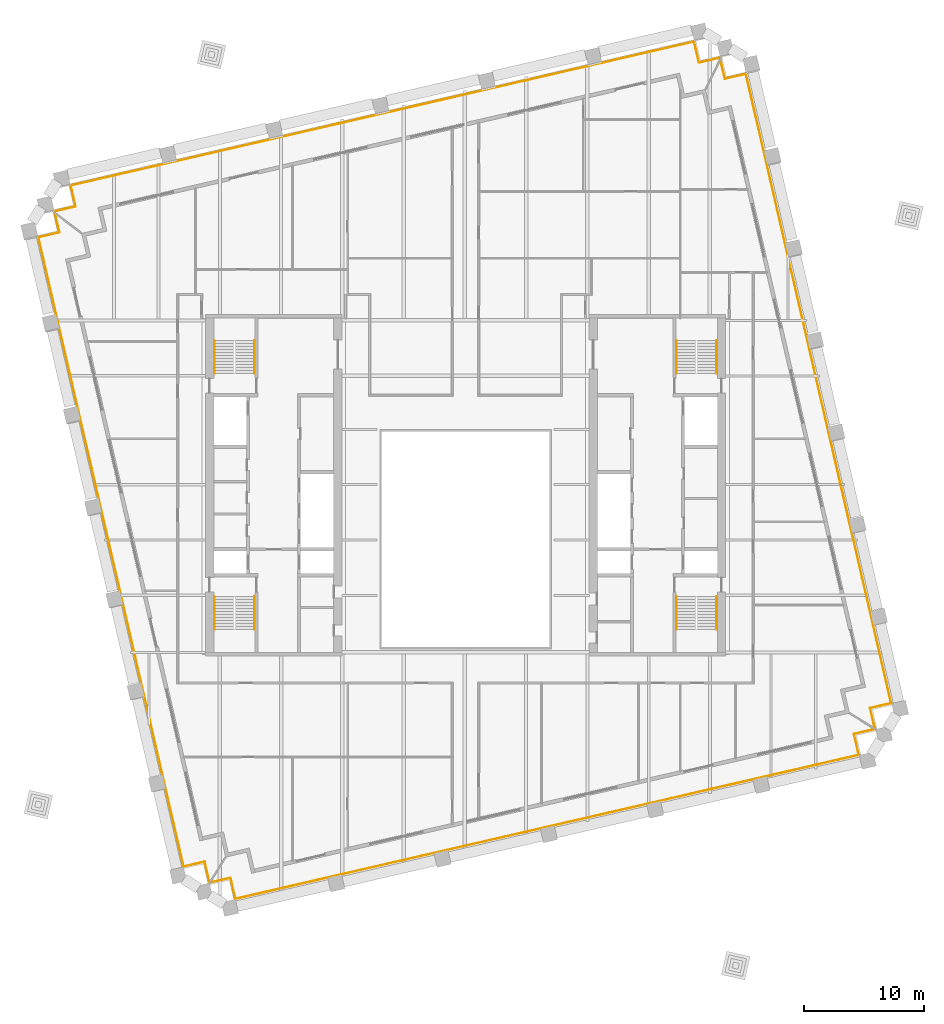
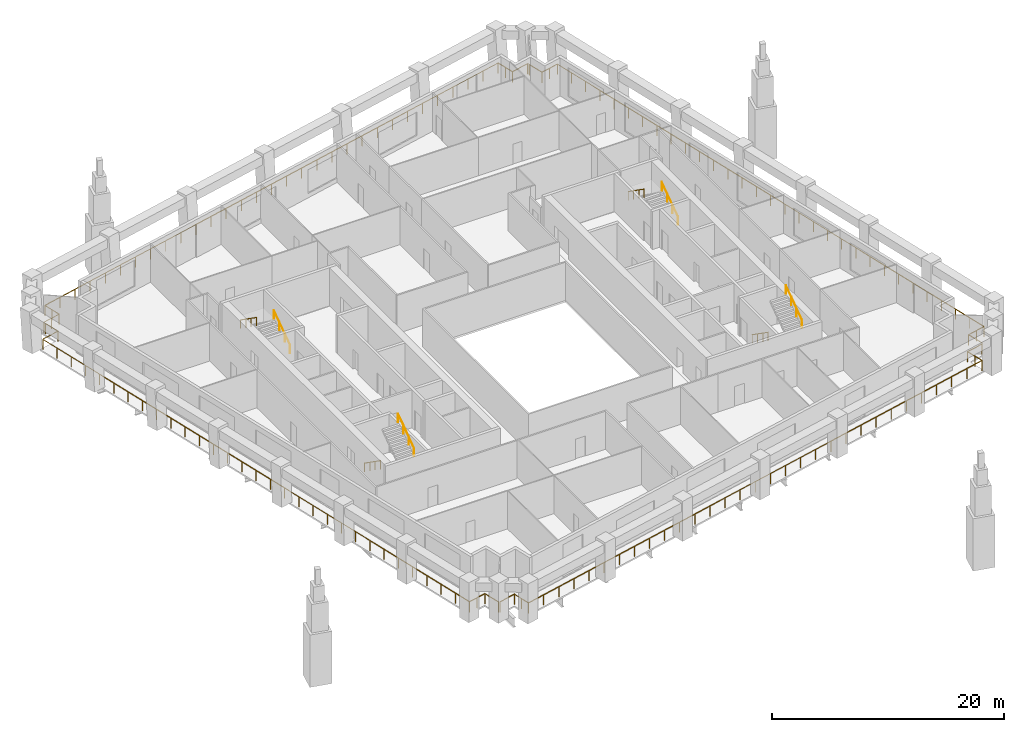
# One storey, part 10 of 10: 12 railings.
"""IFC4 building model written with IfcOpenShell, lengths in metres."""

from ifc_helpers import new_model, si_unit, direction, frame, origin, origin_2d, place, context, subcontext, project, spatial, circle, extrude, material, type_object, element, save


model = new_model("IFC4")

# Units and contexts
model_context = context("Model", 3, precision=1e-05, world=origin(), true_north=direction((0.0, 1.0)))
body_context = subcontext(model_context, "Body", "Model", "MODEL_VIEW")
ifc_project = project(units=[si_unit("LENGTHUNIT", "METRE"), si_unit("AREAUNIT", "SQUARE_METRE"), si_unit("VOLUMEUNIT", "CUBIC_METRE"), si_unit("PLANEANGLEUNIT", "RADIAN"), si_unit("MASSUNIT", "GRAM", prefix="KILO")], contexts=[model_context])

# Site, building, storey
site_placement = place(None, origin())
site = spatial("IfcSite", under=ifc_project, at=site_placement, CompositionType="ELEMENT")
building_placement = place(site_placement, origin())
building = spatial("IfcBuilding", under=site, at=building_placement, Name="Ogive Exchange Tower", CompositionType="ELEMENT")
storey_placement = place(building_placement, frame((0.0, 0.0, 171.60009765625)))
storey = spatial("IfcBuildingStorey", under=building, at=storey_placement, Name="L37", CompositionType="ELEMENT", Elevation=171.60009765625)

# Railings
ifc_material_1 = material(Name="Stainless steel 316", Category="steel")
railing_type_1 = type_object("IfcRailingType", Name="Guard 1100 stainless steel and glass", PredefinedType="GUARDRAIL", material=ifc_material_1)
railing_1_placement = place(storey_placement, frame((34.067138671875, -8.864013671875, -0.050048828125)))
element("IfcRailing", 1, at=railing_1_placement, inside=storey, type_object=railing_type_1, Name="Loggia guard 1", PredefinedType="GUARDRAIL", context=body_context, shape_type="SweptSolid", body=[
    extrude(circle(Radius=0.02392578125, at=origin_2d()), frame((0.0, 0.0, 1.076171875), z_axis=(-0.974364690374, -0.224974332206, 0.0), x_axis=(0.224974332206, -0.974364690374, 0.0)), (0.0, 0.0, 1.0), 1.7080078125),
    extrude(circle(Radius=0.02392578125, at=origin_2d()), frame((-1.664306640625, -0.38427734375, 1.076171875), z_axis=(0.224879318197, -0.974386623598, 0.0), x_axis=(0.974386623598, 0.224879318197, 0.0)), (0.0, 0.0, 1.0), 1.800048828125),
    extrude(circle(Radius=0.02392578125, at=origin_2d()), frame((-1.259521484375, -2.13818359375, 1.076171875), z_axis=(-0.97436998541, -0.224951398156, 0.0), x_axis=(0.224951398156, -0.97436998541, 0.0)), (0.0, 0.0, 1.0), 53.360107421875),
    extrude(circle(Radius=0.02392578125, at=origin_2d()), frame((-53.251953125, -14.1416015625, 1.076171875), z_axis=(-0.224879318197, 0.974386623598, 0.0), x_axis=(-0.974386623598, -0.224879318197, 0.0)), (0.0, 0.0, 1.0), 1.800048828125),
    extrude(circle(Radius=0.02392578125, at=origin_2d()), frame((-53.65673828125, -12.3876953125, 1.076171875), z_axis=(-0.974364690374, -0.224974332206, 0.0), x_axis=(0.224974332206, -0.974364690374, 0.0)), (0.0, 0.0, 1.0), 1.7080078125),
    extrude(circle(Radius=0.02099609375, at=origin_2d()), origin(), (0.0, 0.0, 1.0), 1.052001953125),
    extrude(circle(Radius=0.02099609375, at=origin_2d()), frame((-1.664306640625, -0.38427734375, 0.0)), (0.0, 0.0, 1.0), 1.052001953125),
    extrude(circle(Radius=0.02099609375, at=origin_2d()), frame((-1.4619140625, -1.26123046875, 0.0)), (0.0, 0.0, 1.0), 1.052001953125),
    extrude(circle(Radius=0.02099609375, at=origin_2d()), frame((-1.259521484375, -2.13818359375, 0.0)), (0.0, 0.0, 1.0), 1.052001953125),
    extrude(circle(Radius=0.02099609375, at=origin_2d()), frame((-2.99267578125, -2.538330078125, 0.0)), (0.0, 0.0, 1.0), 1.052001953125),
    extrude(circle(Radius=0.02099609375, at=origin_2d()), frame((-4.7255859375, -2.9384765625, 0.0)), (0.0, 0.0, 1.0), 1.052001953125),
    extrude(circle(Radius=0.02099609375, at=origin_2d()), frame((-6.458740234375, -3.338623046875, 0.0)), (0.0, 0.0, 1.0), 1.052001953125),
    extrude(circle(Radius=0.02099609375, at=origin_2d()), frame((-8.19189453125, -3.738525390625, 0.0)), (0.0, 0.0, 1.0), 1.052001953125),
    extrude(circle(Radius=0.02099609375, at=origin_2d()), frame((-9.9248046875, -4.138671875, 0.0)), (0.0, 0.0, 1.0), 1.052001953125),
    extrude(circle(Radius=0.02099609375, at=origin_2d()), frame((-11.657958984375, -4.538818359375, 0.0)), (0.0, 0.0, 1.0), 1.052001953125),
    extrude(circle(Radius=0.02099609375, at=origin_2d()), frame((-13.39111328125, -4.93896484375, 0.0)), (0.0, 0.0, 1.0), 1.052001953125),
    extrude(circle(Radius=0.02099609375, at=origin_2d()), frame((-15.124267578125, -5.339111328125, 0.0)), (0.0, 0.0, 1.0), 1.052001953125),
    extrude(circle(Radius=0.02099609375, at=origin_2d()), frame((-16.857177734375, -5.7392578125, 0.0)), (0.0, 0.0, 1.0), 1.052001953125),
    extrude(circle(Radius=0.02099609375, at=origin_2d()), frame((-18.59033203125, -6.139404296875, 0.0)), (0.0, 0.0, 1.0), 1.052001953125),
    extrude(circle(Radius=0.02099609375, at=origin_2d()), frame((-20.323486328125, -6.53955078125, 0.0)), (0.0, 0.0, 1.0), 1.052001953125),
    extrude(circle(Radius=0.02099609375, at=origin_2d()), frame((-22.056396484375, -6.939453125, 0.0)), (0.0, 0.0, 1.0), 1.052001953125),
    extrude(circle(Radius=0.02099609375, at=origin_2d()), frame((-23.78955078125, -7.339599609375, 0.0)), (0.0, 0.0, 1.0), 1.052001953125),
    extrude(circle(Radius=0.02099609375, at=origin_2d()), frame((-25.522705078125, -7.73974609375, 0.0)), (0.0, 0.0, 1.0), 1.052001953125),
    extrude(circle(Radius=0.02099609375, at=origin_2d()), frame((-27.255859375, -8.139892578125, 0.0)), (0.0, 0.0, 1.0), 1.052001953125),
    extrude(circle(Radius=0.02099609375, at=origin_2d()), frame((-28.98876953125, -8.5400390625, 0.0)), (0.0, 0.0, 1.0), 1.052001953125),
    extrude(circle(Radius=0.02099609375, at=origin_2d()), frame((-30.721923828125, -8.940185546875, 0.0)), (0.0, 0.0, 1.0), 1.052001953125),
    extrude(circle(Radius=0.02099609375, at=origin_2d()), frame((-32.455078125, -9.34033203125, 0.0)), (0.0, 0.0, 1.0), 1.052001953125),
    extrude(circle(Radius=0.02099609375, at=origin_2d()), frame((-34.18798828125, -9.740234375, 0.0)), (0.0, 0.0, 1.0), 1.052001953125),
    extrude(circle(Radius=0.02099609375, at=origin_2d()), frame((-35.921142578125, -10.140380859375, 0.0)), (0.0, 0.0, 1.0), 1.052001953125),
    extrude(circle(Radius=0.02099609375, at=origin_2d()), frame((-37.654296875, -10.54052734375, 0.0)), (0.0, 0.0, 1.0), 1.052001953125),
    extrude(circle(Radius=0.02099609375, at=origin_2d()), frame((-39.38720703125, -10.940673828125, 0.0)), (0.0, 0.0, 1.0), 1.052001953125),
    extrude(circle(Radius=0.02099609375, at=origin_2d()), frame((-41.120361328125, -11.3408203125, 0.0)), (0.0, 0.0, 1.0), 1.052001953125),
    extrude(circle(Radius=0.02099609375, at=origin_2d()), frame((-42.853515625, -11.740966796875, 0.0)), (0.0, 0.0, 1.0), 1.052001953125),
    extrude(circle(Radius=0.02099609375, at=origin_2d()), frame((-44.58642578125, -12.14111328125, 0.0)), (0.0, 0.0, 1.0), 1.052001953125),
    extrude(circle(Radius=0.02099609375, at=origin_2d()), frame((-46.319580078125, -12.541259765625, 0.0)), (0.0, 0.0, 1.0), 1.052001953125),
    extrude(circle(Radius=0.02099609375, at=origin_2d()), frame((-48.052734375, -12.941162109375, 0.0)), (0.0, 0.0, 1.0), 1.052001953125),
    extrude(circle(Radius=0.02099609375, at=origin_2d()), frame((-49.785888671875, -13.34130859375, 0.0)), (0.0, 0.0, 1.0), 1.052001953125),
    extrude(circle(Radius=0.02099609375, at=origin_2d()), frame((-51.518798828125, -13.741455078125, 0.0)), (0.0, 0.0, 1.0), 1.052001953125),
    extrude(circle(Radius=0.02099609375, at=origin_2d()), frame((-53.251953125, -14.1416015625, 0.0)), (0.0, 0.0, 1.0), 1.052001953125),
    extrude(circle(Radius=0.02099609375, at=origin_2d()), frame((-53.454345703125, -13.2646484375, 0.0)), (0.0, 0.0, 1.0), 1.052001953125),
    extrude(circle(Radius=0.02099609375, at=origin_2d()), frame((-53.65673828125, -12.3876953125, 0.0)), (0.0, 0.0, 1.0), 1.052001953125),
    extrude(circle(Radius=0.02099609375, at=origin_2d()), frame((-55.321044921875, -12.77197265625, 0.0)), (0.0, 0.0, 1.0), 1.052001953125),
])
railing_2_placement = place(storey_placement, frame((-21.364013671875, -21.567138671875, -0.050048828125)))
element("IfcRailing", 2, at=railing_2_placement, inside=storey, type_object=railing_type_1, Name="Loggia guard 2", PredefinedType="GUARDRAIL", context=body_context, shape_type="SweptSolid", body=[
    extrude(circle(Radius=0.02392578125, at=origin_2d()), frame((0.0, 0.0, 1.076171875), z_axis=(-0.224974332206, 0.974364690374, 0.0), x_axis=(-0.974364690374, -0.224974332206, 0.0)), (0.0, 0.0, 1.0), 1.7080078125),
    extrude(circle(Radius=0.02392578125, at=origin_2d()), frame((-0.38427734375, 1.664306640625, 1.076171875), z_axis=(-0.974386623598, -0.224879318197, 0.0), x_axis=(0.224879318197, -0.974386623598, 0.0)), (0.0, 0.0, 1.0), 1.800048828125),
    extrude(circle(Radius=0.02392578125, at=origin_2d()), frame((-2.13818359375, 1.259521484375, 1.076171875), z_axis=(-0.224949214091, 0.974370489639, 0.0), x_axis=(-0.974370489639, -0.224949214091, 0.0)), (0.0, 0.0, 1.0), 53.8642578125),
    extrude(circle(Radius=0.02392578125, at=origin_2d()), frame((-14.2548828125, 53.7431640625, 1.076171875), z_axis=(0.974379763188, 0.224909041816, 0.0), x_axis=(-0.224909041816, 0.974379763188, 0.0)), (0.0, 0.0, 1.0), 1.7998046875),
    extrude(circle(Radius=0.02392578125, at=origin_2d()), frame((-12.501220703125, 54.14794921875, 1.076171875), z_axis=(-0.224870880059, 0.974388571003, 0.0), x_axis=(-0.974388571003, -0.224870880059, 0.0)), (0.0, 0.0, 1.0), 1.567626953125),
    extrude(circle(Radius=0.02099609375, at=origin_2d()), origin(), (0.0, 0.0, 1.0), 1.052001953125),
    extrude(circle(Radius=0.02099609375, at=origin_2d()), frame((-0.38427734375, 1.664306640625, 0.0)), (0.0, 0.0, 1.0), 1.052001953125),
    extrude(circle(Radius=0.02099609375, at=origin_2d()), frame((-1.26123046875, 1.4619140625, 0.0)), (0.0, 0.0, 1.0), 1.052001953125),
    extrude(circle(Radius=0.02099609375, at=origin_2d()), frame((-2.13818359375, 1.259521484375, 0.0)), (0.0, 0.0, 1.0), 1.052001953125),
    extrude(circle(Radius=0.02099609375, at=origin_2d()), frame((-2.5419921875, 3.009033203125, 0.0)), (0.0, 0.0, 1.0), 1.052001953125),
    extrude(circle(Radius=0.02099609375, at=origin_2d()), frame((-2.946044921875, 4.758544921875, 0.0)), (0.0, 0.0, 1.0), 1.052001953125),
    extrude(circle(Radius=0.02099609375, at=origin_2d()), frame((-3.349853515625, 6.5078125, 0.0)), (0.0, 0.0, 1.0), 1.052001953125),
    extrude(circle(Radius=0.02099609375, at=origin_2d()), frame((-3.753662109375, 8.25732421875, 0.0)), (0.0, 0.0, 1.0), 1.052001953125),
    extrude(circle(Radius=0.02099609375, at=origin_2d()), frame((-4.15771484375, 10.0068359375, 0.0)), (0.0, 0.0, 1.0), 1.052001953125),
    extrude(circle(Radius=0.02099609375, at=origin_2d()), frame((-4.5615234375, 11.75634765625, 0.0)), (0.0, 0.0, 1.0), 1.052001953125),
    extrude(circle(Radius=0.02099609375, at=origin_2d()), frame((-4.96533203125, 13.505615234375, 0.0)), (0.0, 0.0, 1.0), 1.052001953125),
    extrude(circle(Radius=0.02099609375, at=origin_2d()), frame((-5.369384765625, 15.255126953125, 0.0)), (0.0, 0.0, 1.0), 1.052001953125),
    extrude(circle(Radius=0.02099609375, at=origin_2d()), frame((-5.773193359375, 17.004638671875, 0.0)), (0.0, 0.0, 1.0), 1.052001953125),
    extrude(circle(Radius=0.02099609375, at=origin_2d()), frame((-6.177001953125, 18.754150390625, 0.0)), (0.0, 0.0, 1.0), 1.052001953125),
    extrude(circle(Radius=0.02099609375, at=origin_2d()), frame((-6.5810546875, 20.50341796875, 0.0)), (0.0, 0.0, 1.0), 1.052001953125),
    extrude(circle(Radius=0.02099609375, at=origin_2d()), frame((-6.98486328125, 22.2529296875, 0.0)), (0.0, 0.0, 1.0), 1.052001953125),
    extrude(circle(Radius=0.02099609375, at=origin_2d()), frame((-7.388671875, 24.00244140625, 0.0)), (0.0, 0.0, 1.0), 1.052001953125),
    extrude(circle(Radius=0.02099609375, at=origin_2d()), frame((-7.792724609375, 25.751953125, 0.0)), (0.0, 0.0, 1.0), 1.052001953125),
    extrude(circle(Radius=0.02099609375, at=origin_2d()), frame((-8.196533203125, 27.50146484375, 0.0)), (0.0, 0.0, 1.0), 1.052001953125),
    extrude(circle(Radius=0.02099609375, at=origin_2d()), frame((-8.600341796875, 29.250732421875, 0.0)), (0.0, 0.0, 1.0), 1.052001953125),
    extrude(circle(Radius=0.02099609375, at=origin_2d()), frame((-9.00439453125, 31.000244140625, 0.0)), (0.0, 0.0, 1.0), 1.052001953125),
    extrude(circle(Radius=0.02099609375, at=origin_2d()), frame((-9.408203125, 32.749755859375, 0.0)), (0.0, 0.0, 1.0), 1.052001953125),
    extrude(circle(Radius=0.02099609375, at=origin_2d()), frame((-9.81201171875, 34.499267578125, 0.0)), (0.0, 0.0, 1.0), 1.052001953125),
    extrude(circle(Radius=0.02099609375, at=origin_2d()), frame((-10.216064453125, 36.24853515625, 0.0)), (0.0, 0.0, 1.0), 1.052001953125),
    extrude(circle(Radius=0.02099609375, at=origin_2d()), frame((-10.619873046875, 37.998046875, 0.0)), (0.0, 0.0, 1.0), 1.052001953125),
    extrude(circle(Radius=0.02099609375, at=origin_2d()), frame((-11.023681640625, 39.74755859375, 0.0)), (0.0, 0.0, 1.0), 1.052001953125),
    extrude(circle(Radius=0.02099609375, at=origin_2d()), frame((-11.427734375, 41.4970703125, 0.0)), (0.0, 0.0, 1.0), 1.052001953125),
    extrude(circle(Radius=0.02099609375, at=origin_2d()), frame((-11.83154296875, 43.246337890625, 0.0)), (0.0, 0.0, 1.0), 1.052001953125),
    extrude(circle(Radius=0.02099609375, at=origin_2d()), frame((-12.2353515625, 44.995849609375, 0.0)), (0.0, 0.0, 1.0), 1.052001953125),
    extrude(circle(Radius=0.02099609375, at=origin_2d()), frame((-12.639404296875, 46.745361328125, 0.0)), (0.0, 0.0, 1.0), 1.052001953125),
    extrude(circle(Radius=0.02099609375, at=origin_2d()), frame((-13.043212890625, 48.494873046875, 0.0)), (0.0, 0.0, 1.0), 1.052001953125),
    extrude(circle(Radius=0.02099609375, at=origin_2d()), frame((-13.447021484375, 50.244140625, 0.0)), (0.0, 0.0, 1.0), 1.052001953125),
    extrude(circle(Radius=0.02099609375, at=origin_2d()), frame((-13.85107421875, 51.99365234375, 0.0)), (0.0, 0.0, 1.0), 1.052001953125),
    extrude(circle(Radius=0.02099609375, at=origin_2d()), frame((-14.2548828125, 53.7431640625, 0.0)), (0.0, 0.0, 1.0), 1.052001953125),
    extrude(circle(Radius=0.02099609375, at=origin_2d()), frame((-12.501220703125, 54.14794921875, 0.0)), (0.0, 0.0, 1.0), 1.052001953125),
    extrude(circle(Radius=0.02099609375, at=origin_2d()), frame((-12.853759765625, 55.675537109375, 0.0)), (0.0, 0.0, 1.0), 1.052001953125),
])
railing_3_placement = place(storey_placement, frame((-34.263671875, 34.30712890625, -0.050048828125)))
element("IfcRailing", 3, at=railing_3_placement, inside=storey, type_object=railing_type_1, Name="Loggia guard 3", PredefinedType="GUARDRAIL", context=body_context, shape_type="SweptSolid", body=[
    extrude(circle(Radius=0.02392578125, at=origin_2d()), frame((0.0, 0.0, 1.076171875), z_axis=(-0.22422960129, 0.974536344066, 0.0), x_axis=(-0.974536344066, -0.22422960129, 0.0)), (0.0, 0.0, 1.0), 0.0283203125),
    extrude(circle(Radius=0.02392578125, at=origin_2d()), frame((-0.00634765625, 0.027587890625, 1.076171875), z_axis=(0.974386623598, 0.224879318197, 0.0), x_axis=(-0.224879318197, 0.974386623598, 0.0)), (0.0, 0.0, 1.0), 1.800048828125),
    extrude(circle(Radius=0.02392578125, at=origin_2d()), frame((1.74755859375, 0.432373046875, 1.076171875), z_axis=(-0.225008086135, 0.974356896201, 0.0), x_axis=(-0.974356896201, -0.225008086135, 0.0)), (0.0, 0.0, 1.0), 1.800048828125),
    extrude(circle(Radius=0.02392578125, at=origin_2d()), frame((1.342529296875, 2.186279296875, 1.076171875), z_axis=(0.97436998541, 0.224951398156, 0.0), x_axis=(-0.224951398156, 0.97436998541, 0.0)), (0.0, 0.0, 1.0), 53.360107421875),
    extrude(circle(Radius=0.02392578125, at=origin_2d()), frame((53.3349609375, 14.189697265625, 1.076171875), z_axis=(0.225008086135, -0.974356896201, 0.0), x_axis=(0.974356896201, 0.225008086135, 0.0)), (0.0, 0.0, 1.0), 1.800048828125),
    extrude(circle(Radius=0.02392578125, at=origin_2d()), frame((53.739990234375, 12.435791015625, 1.076171875), z_axis=(0.974350028141, 0.22503782496, 0.0), x_axis=(-0.22503782496, 0.974350028141, 0.0)), (0.0, 0.0, 1.0), 1.7998046875),
    extrude(circle(Radius=0.02392578125, at=origin_2d()), frame((55.49365234375, 12.8408203125, 1.076171875), z_axis=(0.226129707199, -0.974097200243, 0.0), x_axis=(0.974097200243, 0.226129707199, 0.0)), (0.0, 0.0, 1.0), 0.028076171875),
    extrude(circle(Radius=0.02099609375, at=origin_2d()), origin(), (0.0, 0.0, 1.0), 1.052001953125),
    extrude(circle(Radius=0.02099609375, at=origin_2d()), frame((-0.00634765625, 0.027587890625, 0.0)), (0.0, 0.0, 1.0), 1.052001953125),
    extrude(circle(Radius=0.02099609375, at=origin_2d()), frame((0.87060546875, 0.22998046875, 0.0)), (0.0, 0.0, 1.0), 1.052001953125),
    extrude(circle(Radius=0.02099609375, at=origin_2d()), frame((1.74755859375, 0.432373046875, 0.0)), (0.0, 0.0, 1.0), 1.052001953125),
    extrude(circle(Radius=0.02099609375, at=origin_2d()), frame((1.544921875, 1.309326171875, 0.0)), (0.0, 0.0, 1.0), 1.052001953125),
    extrude(circle(Radius=0.02099609375, at=origin_2d()), frame((1.342529296875, 2.186279296875, 0.0)), (0.0, 0.0, 1.0), 1.052001953125),
    extrude(circle(Radius=0.02099609375, at=origin_2d()), frame((3.07568359375, 2.58642578125, 0.0)), (0.0, 0.0, 1.0), 1.052001953125),
    extrude(circle(Radius=0.02099609375, at=origin_2d()), frame((4.80859375, 2.986572265625, 0.0)), (0.0, 0.0, 1.0), 1.052001953125),
    extrude(circle(Radius=0.02099609375, at=origin_2d()), frame((6.541748046875, 3.38671875, 0.0)), (0.0, 0.0, 1.0), 1.052001953125),
    extrude(circle(Radius=0.02099609375, at=origin_2d()), frame((8.27490234375, 3.78662109375, 0.0)), (0.0, 0.0, 1.0), 1.052001953125),
    extrude(circle(Radius=0.02099609375, at=origin_2d()), frame((10.0078125, 4.186767578125, 0.0)), (0.0, 0.0, 1.0), 1.052001953125),
    extrude(circle(Radius=0.02099609375, at=origin_2d()), frame((11.740966796875, 4.5869140625, 0.0)), (0.0, 0.0, 1.0), 1.052001953125),
    extrude(circle(Radius=0.02099609375, at=origin_2d()), frame((13.47412109375, 4.987060546875, 0.0)), (0.0, 0.0, 1.0), 1.052001953125),
    extrude(circle(Radius=0.02099609375, at=origin_2d()), frame((15.207275390625, 5.38720703125, 0.0)), (0.0, 0.0, 1.0), 1.052001953125),
    extrude(circle(Radius=0.02099609375, at=origin_2d()), frame((16.940185546875, 5.787353515625, 0.0)), (0.0, 0.0, 1.0), 1.052001953125),
    extrude(circle(Radius=0.02099609375, at=origin_2d()), frame((18.67333984375, 6.1875, 0.0)), (0.0, 0.0, 1.0), 1.052001953125),
    extrude(circle(Radius=0.02099609375, at=origin_2d()), frame((20.406494140625, 6.587646484375, 0.0)), (0.0, 0.0, 1.0), 1.052001953125),
    extrude(circle(Radius=0.02099609375, at=origin_2d()), frame((22.139404296875, 6.987548828125, 0.0)), (0.0, 0.0, 1.0), 1.052001953125),
    extrude(circle(Radius=0.02099609375, at=origin_2d()), frame((23.87255859375, 7.3876953125, 0.0)), (0.0, 0.0, 1.0), 1.052001953125),
    extrude(circle(Radius=0.02099609375, at=origin_2d()), frame((25.605712890625, 7.787841796875, 0.0)), (0.0, 0.0, 1.0), 1.052001953125),
    extrude(circle(Radius=0.02099609375, at=origin_2d()), frame((27.3388671875, 8.18798828125, 0.0)), (0.0, 0.0, 1.0), 1.052001953125),
    extrude(circle(Radius=0.02099609375, at=origin_2d()), frame((29.07177734375, 8.588134765625, 0.0)), (0.0, 0.0, 1.0), 1.052001953125),
    extrude(circle(Radius=0.02099609375, at=origin_2d()), frame((30.804931640625, 8.98828125, 0.0)), (0.0, 0.0, 1.0), 1.052001953125),
    extrude(circle(Radius=0.02099609375, at=origin_2d()), frame((32.5380859375, 9.388427734375, 0.0)), (0.0, 0.0, 1.0), 1.052001953125),
    extrude(circle(Radius=0.02099609375, at=origin_2d()), frame((34.27099609375, 9.788330078125, 0.0)), (0.0, 0.0, 1.0), 1.052001953125),
    extrude(circle(Radius=0.02099609375, at=origin_2d()), frame((36.004150390625, 10.1884765625, 0.0)), (0.0, 0.0, 1.0), 1.052001953125),
    extrude(circle(Radius=0.02099609375, at=origin_2d()), frame((37.7373046875, 10.588623046875, 0.0)), (0.0, 0.0, 1.0), 1.052001953125),
    extrude(circle(Radius=0.02099609375, at=origin_2d()), frame((39.47021484375, 10.98876953125, 0.0)), (0.0, 0.0, 1.0), 1.052001953125),
    extrude(circle(Radius=0.02099609375, at=origin_2d()), frame((41.203369140625, 11.388916015625, 0.0)), (0.0, 0.0, 1.0), 1.052001953125),
    extrude(circle(Radius=0.02099609375, at=origin_2d()), frame((42.9365234375, 11.7890625, 0.0)), (0.0, 0.0, 1.0), 1.052001953125),
    extrude(circle(Radius=0.02099609375, at=origin_2d()), frame((44.66943359375, 12.189208984375, 0.0)), (0.0, 0.0, 1.0), 1.052001953125),
    extrude(circle(Radius=0.02099609375, at=origin_2d()), frame((46.402587890625, 12.58935546875, 0.0)), (0.0, 0.0, 1.0), 1.052001953125),
    extrude(circle(Radius=0.02099609375, at=origin_2d()), frame((48.1357421875, 12.9892578125, 0.0)), (0.0, 0.0, 1.0), 1.052001953125),
    extrude(circle(Radius=0.02099609375, at=origin_2d()), frame((49.868896484375, 13.389404296875, 0.0)), (0.0, 0.0, 1.0), 1.052001953125),
    extrude(circle(Radius=0.02099609375, at=origin_2d()), frame((51.601806640625, 13.78955078125, 0.0)), (0.0, 0.0, 1.0), 1.052001953125),
    extrude(circle(Radius=0.02099609375, at=origin_2d()), frame((53.3349609375, 14.189697265625, 0.0)), (0.0, 0.0, 1.0), 1.052001953125),
    extrude(circle(Radius=0.02099609375, at=origin_2d()), frame((53.53759765625, 13.312744140625, 0.0)), (0.0, 0.0, 1.0), 1.052001953125),
    extrude(circle(Radius=0.02099609375, at=origin_2d()), frame((53.739990234375, 12.435791015625, 0.0)), (0.0, 0.0, 1.0), 1.052001953125),
    extrude(circle(Radius=0.02099609375, at=origin_2d()), frame((55.49365234375, 12.8408203125, 0.0)), (0.0, 0.0, 1.0), 1.052001953125),
    extrude(circle(Radius=0.02099609375, at=origin_2d()), frame((55.5, 12.8134765625, 0.0)), (0.0, 0.0, 1.0), 1.052001953125),
])
railing_4_placement = place(storey_placement, frame((21.2822265625, 46.921630859375, -0.050048828125)))
element("IfcRailing", 4, at=railing_4_placement, inside=storey, type_object=railing_type_1, Name="Loggia guard 4", PredefinedType="GUARDRAIL", context=body_context, shape_type="SweptSolid", body=[
    extrude(circle(Radius=0.02392578125, at=origin_2d()), frame((0.0, 0.0, 1.076171875), z_axis=(0.225018725376, -0.974354439221, 0.0), x_axis=(0.974354439221, 0.225018725376, 0.0)), (0.0, 0.0, 1.0), 1.56787109375),
    extrude(circle(Radius=0.02392578125, at=origin_2d()), frame((0.352783203125, -1.527587890625, 1.076171875), z_axis=(0.974356896201, 0.225008086135, 0.0), x_axis=(-0.225008086135, 0.974356896201, 0.0)), (0.0, 0.0, 1.0), 1.800048828125),
    extrude(circle(Radius=0.02392578125, at=origin_2d()), frame((2.106689453125, -1.12255859375, 1.076171875), z_axis=(0.224948220639, -0.974370718993, 0.0), x_axis=(0.974370718993, 0.224948220639, 0.0)), (0.0, 0.0, 1.0), 53.864501953125),
    extrude(circle(Radius=0.02392578125, at=origin_2d()), frame((14.223388671875, -53.6064453125, 1.076171875), z_axis=(-0.974386623598, -0.224879318197, 0.0), x_axis=(0.224879318197, -0.974386623598, 0.0)), (0.0, 0.0, 1.0), 1.800048828125),
    extrude(circle(Radius=0.02392578125, at=origin_2d()), frame((12.469482421875, -54.01123046875, 1.076171875), z_axis=(0.224974332206, -0.974364690374, 0.0), x_axis=(0.974364690374, 0.224974332206, 0.0)), (0.0, 0.0, 1.0), 1.7080078125),
    extrude(circle(Radius=0.02099609375, at=origin_2d()), origin(), (0.0, 0.0, 1.0), 1.052001953125),
    extrude(circle(Radius=0.02099609375, at=origin_2d()), frame((0.352783203125, -1.527587890625, 0.0)), (0.0, 0.0, 1.0), 1.052001953125),
    extrude(circle(Radius=0.02099609375, at=origin_2d()), frame((1.229736328125, -1.3251953125, 0.0)), (0.0, 0.0, 1.0), 1.052001953125),
    extrude(circle(Radius=0.02099609375, at=origin_2d()), frame((2.106689453125, -1.12255859375, 0.0)), (0.0, 0.0, 1.0), 1.052001953125),
    extrude(circle(Radius=0.02099609375, at=origin_2d()), frame((2.510498046875, -2.8720703125, 0.0)), (0.0, 0.0, 1.0), 1.052001953125),
    extrude(circle(Radius=0.02099609375, at=origin_2d()), frame((2.91455078125, -4.62158203125, 0.0)), (0.0, 0.0, 1.0), 1.052001953125),
    extrude(circle(Radius=0.02099609375, at=origin_2d()), frame((3.318359375, -6.370849609375, 0.0)), (0.0, 0.0, 1.0), 1.052001953125),
    extrude(circle(Radius=0.02099609375, at=origin_2d()), frame((3.72216796875, -8.120361328125, 0.0)), (0.0, 0.0, 1.0), 1.052001953125),
    extrude(circle(Radius=0.02099609375, at=origin_2d()), frame((4.126220703125, -9.869873046875, 0.0)), (0.0, 0.0, 1.0), 1.052001953125),
    extrude(circle(Radius=0.02099609375, at=origin_2d()), frame((4.530029296875, -11.619384765625, 0.0)), (0.0, 0.0, 1.0), 1.052001953125),
    extrude(circle(Radius=0.02099609375, at=origin_2d()), frame((4.933837890625, -13.368896484375, 0.0)), (0.0, 0.0, 1.0), 1.052001953125),
    extrude(circle(Radius=0.02099609375, at=origin_2d()), frame((5.337890625, -15.1181640625, 0.0)), (0.0, 0.0, 1.0), 1.052001953125),
    extrude(circle(Radius=0.02099609375, at=origin_2d()), frame((5.74169921875, -16.86767578125, 0.0)), (0.0, 0.0, 1.0), 1.052001953125),
    extrude(circle(Radius=0.02099609375, at=origin_2d()), frame((6.1455078125, -18.6171875, 0.0)), (0.0, 0.0, 1.0), 1.052001953125),
    extrude(circle(Radius=0.02099609375, at=origin_2d()), frame((6.549560546875, -20.36669921875, 0.0)), (0.0, 0.0, 1.0), 1.052001953125),
    extrude(circle(Radius=0.02099609375, at=origin_2d()), frame((6.953369140625, -22.1162109375, 0.0)), (0.0, 0.0, 1.0), 1.052001953125),
    extrude(circle(Radius=0.02099609375, at=origin_2d()), frame((7.357177734375, -23.865478515625, 0.0)), (0.0, 0.0, 1.0), 1.052001953125),
    extrude(circle(Radius=0.02099609375, at=origin_2d()), frame((7.76123046875, -25.614990234375, 0.0)), (0.0, 0.0, 1.0), 1.052001953125),
    extrude(circle(Radius=0.02099609375, at=origin_2d()), frame((8.1650390625, -27.364501953125, 0.0)), (0.0, 0.0, 1.0), 1.052001953125),
    extrude(circle(Radius=0.02099609375, at=origin_2d()), frame((8.56884765625, -29.114013671875, 0.0)), (0.0, 0.0, 1.0), 1.052001953125),
    extrude(circle(Radius=0.02099609375, at=origin_2d()), frame((8.972900390625, -30.863525390625, 0.0)), (0.0, 0.0, 1.0), 1.052001953125),
    extrude(circle(Radius=0.02099609375, at=origin_2d()), frame((9.376708984375, -32.61279296875, 0.0)), (0.0, 0.0, 1.0), 1.052001953125),
    extrude(circle(Radius=0.02099609375, at=origin_2d()), frame((9.780517578125, -34.3623046875, 0.0)), (0.0, 0.0, 1.0), 1.052001953125),
    extrude(circle(Radius=0.02099609375, at=origin_2d()), frame((10.1845703125, -36.11181640625, 0.0)), (0.0, 0.0, 1.0), 1.052001953125),
    extrude(circle(Radius=0.02099609375, at=origin_2d()), frame((10.58837890625, -37.861328125, 0.0)), (0.0, 0.0, 1.0), 1.052001953125),
    extrude(circle(Radius=0.02099609375, at=origin_2d()), frame((10.9921875, -39.61083984375, 0.0)), (0.0, 0.0, 1.0), 1.052001953125),
    extrude(circle(Radius=0.02099609375, at=origin_2d()), frame((11.396240234375, -41.360107421875, 0.0)), (0.0, 0.0, 1.0), 1.052001953125),
    extrude(circle(Radius=0.02099609375, at=origin_2d()), frame((11.800048828125, -43.109619140625, 0.0)), (0.0, 0.0, 1.0), 1.052001953125),
    extrude(circle(Radius=0.02099609375, at=origin_2d()), frame((12.203857421875, -44.859130859375, 0.0)), (0.0, 0.0, 1.0), 1.052001953125),
    extrude(circle(Radius=0.02099609375, at=origin_2d()), frame((12.60791015625, -46.608642578125, 0.0)), (0.0, 0.0, 1.0), 1.052001953125),
    extrude(circle(Radius=0.02099609375, at=origin_2d()), frame((13.01171875, -48.358154296875, 0.0)), (0.0, 0.0, 1.0), 1.052001953125),
    extrude(circle(Radius=0.02099609375, at=origin_2d()), frame((13.41552734375, -50.107421875, 0.0)), (0.0, 0.0, 1.0), 1.052001953125),
    extrude(circle(Radius=0.02099609375, at=origin_2d()), frame((13.819580078125, -51.85693359375, 0.0)), (0.0, 0.0, 1.0), 1.052001953125),
    extrude(circle(Radius=0.02099609375, at=origin_2d()), frame((14.223388671875, -53.6064453125, 0.0)), (0.0, 0.0, 1.0), 1.052001953125),
    extrude(circle(Radius=0.02099609375, at=origin_2d()), frame((13.346435546875, -53.808837890625, 0.0)), (0.0, 0.0, 1.0), 1.052001953125),
    extrude(circle(Radius=0.02099609375, at=origin_2d()), frame((12.469482421875, -54.01123046875, 0.0)), (0.0, 0.0, 1.0), 1.052001953125),
    extrude(circle(Radius=0.02099609375, at=origin_2d()), frame((12.853759765625, -55.675537109375, 0.0)), (0.0, 0.0, 1.0), 1.052001953125),
])
ifc_material_2 = material(Name="Stainless steel", Category="steel")
railing_type_2 = type_object("IfcRailingType", Name="Stair handrail 900", PredefinedType="HANDRAIL", material=ifc_material_2)
railing_5_placement = place(storey_placement, frame((-20.949951171875, 2.199951171875, 0.1748046875)))
element("IfcRailing", 5, at=railing_5_placement, inside=storey, type_object=railing_type_2, Name="L37 ST1 stair handrail 1", PredefinedType="HANDRAIL", context=body_context, shape_type="SweptSolid", body=[
    extrude(circle(Radius=0.02392578125, at=origin_2d()), frame((0.0, 0.0, 0.8759765625), z_axis=(0.0, -0.819225086817, 0.573472106672), x_axis=(1.0, 0.0, 0.0)), (0.0, 0.0, 1.0), 3.35693359375),
    extrude(circle(Radius=0.02099609375, at=origin_2d()), origin(), (0.0, 0.0, 1.0), 0.851806640625),
    extrude(circle(Radius=0.02099609375, at=origin_2d()), frame((0.0, -0.916748046875, 0.6416015625)), (0.0, 0.0, 1.0), 0.851806640625),
    extrude(circle(Radius=0.02099609375, at=origin_2d()), frame((0.0, -1.833251953125, 1.283447265625)), (0.0, 0.0, 1.0), 0.851806640625),
    extrude(circle(Radius=0.02099609375, at=origin_2d()), frame((0.0, -2.75, 1.925048828125)), (0.0, 0.0, 1.0), 0.851806640625),
])
for number, where, name in (
    (6, (-17.60009765625, -0.550048828125, 2.27490234375), "L37 ST1 stair handrail 2"),
    (7, (-17.60009765625, 20.800048828125, 0.1748046875), "L37 ST2 stair handrail 1"),
):
    element("IfcRailing", number, at=place(storey_placement, frame(where)), inside=storey, type_object=railing_type_2, Name=name, PredefinedType="HANDRAIL", context=body_context, shape_type="SweptSolid", body=[
        extrude(circle(Radius=0.02392578125, at=origin_2d()), frame((0.0, 0.0, 0.8759765625), z_axis=(0.0, 0.819225086817, 0.573472106672), x_axis=(-1.0, 0.0, 0.0)), (0.0, 0.0, 1.0), 3.35693359375),
        extrude(circle(Radius=0.02099609375, at=origin_2d()), origin(), (0.0, 0.0, 1.0), 0.851806640625),
        extrude(circle(Radius=0.02099609375, at=origin_2d()), frame((0.0, 0.916748046875, 0.6416015625)), (0.0, 0.0, 1.0), 0.851806640625),
        extrude(circle(Radius=0.02099609375, at=origin_2d()), frame((0.0, 1.833251953125, 1.283447265625)), (0.0, 0.0, 1.0), 0.851806640625),
        extrude(circle(Radius=0.02099609375, at=origin_2d()), frame((0.0, 2.75, 1.925048828125)), (0.0, 0.0, 1.0), 0.851806640625),
    ])
for number, where, name in (
    (8, (-20.949951171875, 23.550048828125, 2.27490234375), "L37 ST2 stair handrail 2"),
    (9, (17.60009765625, 2.199951171875, 0.1748046875), "L37 ST3 stair handrail 1"),
):
    element("IfcRailing", number, at=place(storey_placement, frame(where)), inside=storey, type_object=railing_type_2, Name=name, PredefinedType="HANDRAIL", context=body_context, shape_type="SweptSolid", body=[
        extrude(circle(Radius=0.02392578125, at=origin_2d()), frame((0.0, 0.0, 0.8759765625), z_axis=(0.0, -0.819225086817, 0.573472106672), x_axis=(1.0, 0.0, 0.0)), (0.0, 0.0, 1.0), 3.35693359375),
        extrude(circle(Radius=0.02099609375, at=origin_2d()), origin(), (0.0, 0.0, 1.0), 0.851806640625),
        extrude(circle(Radius=0.02099609375, at=origin_2d()), frame((0.0, -0.916748046875, 0.6416015625)), (0.0, 0.0, 1.0), 0.851806640625),
        extrude(circle(Radius=0.02099609375, at=origin_2d()), frame((0.0, -1.833251953125, 1.283447265625)), (0.0, 0.0, 1.0), 0.851806640625),
        extrude(circle(Radius=0.02099609375, at=origin_2d()), frame((0.0, -2.75, 1.925048828125)), (0.0, 0.0, 1.0), 0.851806640625),
    ])
for number, where, name in (
    (10, (20.949951171875, -0.550048828125, 2.27490234375), "L37 ST3 stair handrail 2"),
    (11, (20.949951171875, 20.800048828125, 0.1748046875), "L37 ST4 stair handrail 1"),
):
    element("IfcRailing", number, at=place(storey_placement, frame(where)), inside=storey, type_object=railing_type_2, Name=name, PredefinedType="HANDRAIL", context=body_context, shape_type="SweptSolid", body=[
        extrude(circle(Radius=0.02392578125, at=origin_2d()), frame((0.0, 0.0, 0.8759765625), z_axis=(0.0, 0.819225086817, 0.573472106672), x_axis=(-1.0, 0.0, 0.0)), (0.0, 0.0, 1.0), 3.35693359375),
        extrude(circle(Radius=0.02099609375, at=origin_2d()), origin(), (0.0, 0.0, 1.0), 0.851806640625),
        extrude(circle(Radius=0.02099609375, at=origin_2d()), frame((0.0, 0.916748046875, 0.6416015625)), (0.0, 0.0, 1.0), 0.851806640625),
        extrude(circle(Radius=0.02099609375, at=origin_2d()), frame((0.0, 1.833251953125, 1.283447265625)), (0.0, 0.0, 1.0), 0.851806640625),
        extrude(circle(Radius=0.02099609375, at=origin_2d()), frame((0.0, 2.75, 1.925048828125)), (0.0, 0.0, 1.0), 0.851806640625),
    ])
railing_6_placement = place(storey_placement, frame((17.60009765625, 23.550048828125, 2.27490234375)))
element("IfcRailing", 12, at=railing_6_placement, inside=storey, type_object=railing_type_2, Name="L37 ST4 stair handrail 2", PredefinedType="HANDRAIL", context=body_context, shape_type="SweptSolid", body=[
    extrude(circle(Radius=0.02392578125, at=origin_2d()), frame((0.0, 0.0, 0.8759765625), z_axis=(0.0, -0.819225086817, 0.573472106672), x_axis=(1.0, 0.0, 0.0)), (0.0, 0.0, 1.0), 3.35693359375),
    extrude(circle(Radius=0.02099609375, at=origin_2d()), origin(), (0.0, 0.0, 1.0), 0.851806640625),
    extrude(circle(Radius=0.02099609375, at=origin_2d()), frame((0.0, -0.916748046875, 0.6416015625)), (0.0, 0.0, 1.0), 0.851806640625),
    extrude(circle(Radius=0.02099609375, at=origin_2d()), frame((0.0, -1.833251953125, 1.283447265625)), (0.0, 0.0, 1.0), 0.851806640625),
    extrude(circle(Radius=0.02099609375, at=origin_2d()), frame((0.0, -2.75, 1.925048828125)), (0.0, 0.0, 1.0), 0.851806640625),
])

save(model, "model.ifc")
